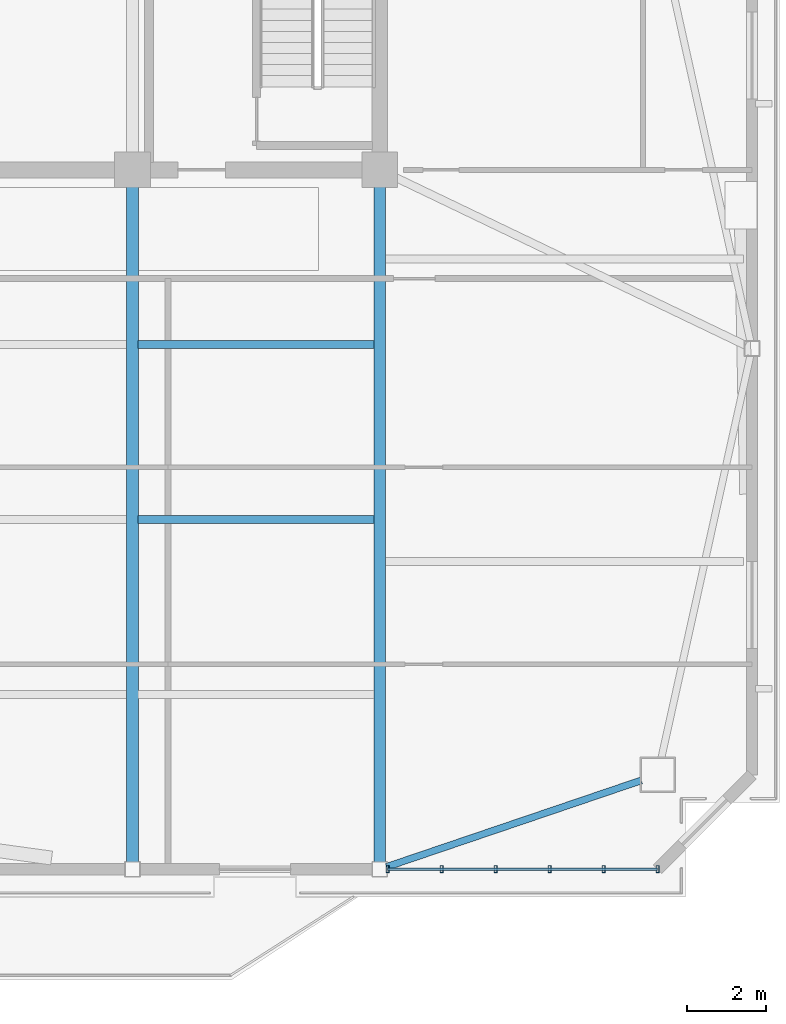
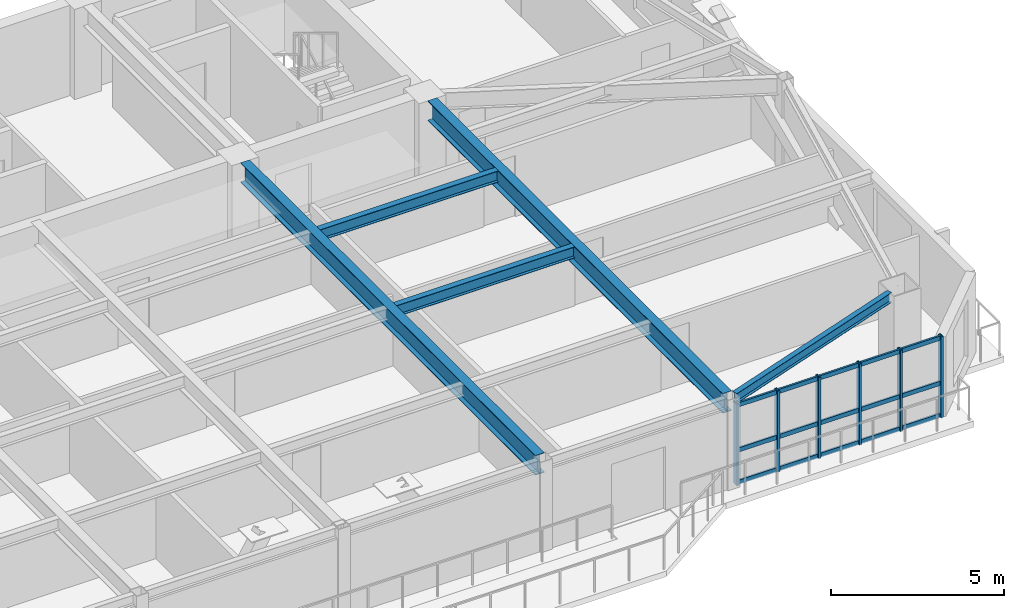
# One storey, part 4 of 13: 9 members, 5 beams, 1 element without a shape of its own.
"""IFC4 building model written with IfcOpenShell, lengths in metres."""

import ifcopenshell
import ifcopenshell.guid

model = None  # the IFC model being written
_history = None  # IfcOwnerHistory: only IFC2X3 demands one
_inside = {}  # id of a spatial element -> (the spatial element, [elements in it])
_under = {}  # id of a project, library or spatial element -> (it, [spatial elements below it])
_declared = {}  # id of a project -> (the project, [libraries it declares])
_typed = {}  # id of a type object -> (the type object, [elements of that type])
_made_of = {}  # id of a material, layer set ... -> (it, [elements and type objects made of it])


def new_model(schema):
    """Start an empty IFC model of exactly this schema.

    Asked for "IFC4X3", IfcOpenShell would pick the latest addendum, in which some entities
    have other attributes; the version numbers below select the first issue.
    IFC2X3 requires an IfcOwnerHistory on every rooted entity: one is made here for all.
    """
    global model, _history
    if schema == "IFC4X3":
        model = ifcopenshell.file(schema_version=(4, 3, 0, 0))
    else:
        model = ifcopenshell.file(schema=schema)
    _inside.clear()
    _under.clear()
    _declared.clear()
    _typed.clear()
    _made_of.clear()
    _history = None
    if model.schema == "IFC2X3":
        org = make("IfcOrganization", Name="unknown")
        user = make(
            "IfcPersonAndOrganization",
            ThePerson=make("IfcPerson", FamilyName="unknown"),
            TheOrganization=org,
        )
        app = make(
            "IfcApplication",
            ApplicationDeveloper=org,
            Version="unknown",
            ApplicationFullName="unknown",
            ApplicationIdentifier="unknown",
        )
        _history = make(
            "IfcOwnerHistory",
            OwningUser=user,
            OwningApplication=app,
            ChangeAction="ADDED",
            CreationDate=0,
        )
    return model


def make(cls, **values):
    """One entity of the class cls with the attributes given. An attribute that is None is left unset."""
    return model.create_entity(
        cls, **{name: value for name, value in values.items() if value is not None}
    )


def rooted(cls, **values):
    """An entity with a GlobalId (a new one), such as an element, a storey or a relation."""
    return make(cls, GlobalId=ifcopenshell.guid.new(), OwnerHistory=_history, **values)


def si_unit(unit_type, name, prefix=None):
    """IfcSIUnit, for example si_unit("LENGTHUNIT", "METRE", prefix="MILLI")."""
    return make("IfcSIUnit", UnitType=unit_type, Prefix=prefix, Name=name)


def assignment(units):
    """IfcUnitAssignment: the units of a project."""
    return None if units is None else make("IfcUnitAssignment", Units=units)


def point(xyz):
    """IfcCartesianPoint."""
    return None if xyz is None else make("IfcCartesianPoint", Coordinates=xyz)


def direction(xyz):
    """IfcDirection."""
    return None if xyz is None else make("IfcDirection", DirectionRatios=xyz)


def frame(location, z_axis=None, x_axis=None):
    """IfcAxis2Placement3D, a coordinate frame: its origin and axes. An axis left out is left unset."""
    return make(
        "IfcAxis2Placement3D",
        Location=point(location),
        Axis=direction(z_axis),
        RefDirection=direction(x_axis),
    )


def frame_2d(location, x_axis=None):
    """IfcAxis2Placement2D, a coordinate frame in the plane: its origin and x axis."""
    return make(
        "IfcAxis2Placement2D", Location=point(location), RefDirection=direction(x_axis)
    )


def origin():
    """The frame at (0, 0, 0) with its axes left unset."""
    return frame((0.0, 0.0, 0.0))


def origin_2d():
    """The frame at (0, 0) in the plane with its x axis left unset."""
    return frame_2d((0.0, 0.0))


def place(relative_to, where):
    """IfcLocalPlacement: puts the frame where relative to a parent placement (None: the world)."""
    return make(
        "IfcLocalPlacement", PlacementRelTo=relative_to, RelativePlacement=where
    )


def context(
    kind, dimensions, precision=None, world=None, true_north=None, identifier=None
):
    """IfcGeometricRepresentationContext, for example the 3D "Model" context."""
    return make(
        "IfcGeometricRepresentationContext",
        ContextIdentifier=identifier,
        ContextType=kind,
        CoordinateSpaceDimension=dimensions,
        Precision=precision,
        WorldCoordinateSystem=world,
        TrueNorth=true_north,
    )


def subcontext(parent, identifier, kind, view, scale=None):
    """IfcGeometricRepresentationSubContext, for example "Body" below "Model"."""
    return make(
        "IfcGeometricRepresentationSubContext",
        ContextIdentifier=identifier,
        ContextType=kind,
        ParentContext=parent,
        TargetScale=scale,
        TargetView=view,
    )


def project(units=None, contexts=None):
    """IfcProject with its units and contexts."""
    return rooted(
        "IfcProject",
        Name="project",
        RepresentationContexts=contexts,
        UnitsInContext=assignment(units),
    )


def spatial(cls, under=None, at=None, **own):
    """A site, building, storey or space (cls), placed at a placement, below another one or the project."""
    s = rooted(cls, ObjectPlacement=at, **own)
    if under is not None:
        _under.setdefault(under.id(), (under, []))[1].append(s)
    return s


def profile(cls, at=None, kind="AREA", **sizes):
    """A parametric profile (cls). Its sizes go by their IFC names, for example OverallWidth=200.0."""
    return make(cls, ProfileType=kind, Position=at, **sizes)


def hollow_rectangle(**sizes):
    """IfcRectangleHollowProfileDef."""
    return profile("IfcRectangleHollowProfileDef", **sizes)


def i_section(**sizes):
    """IfcIShapeProfileDef."""
    return profile("IfcIShapeProfileDef", **sizes)


def extrude(swept, where, along, depth):
    """IfcExtrudedAreaSolid: the profile swept, set in the frame where, extruded along a direction by depth."""
    return make(
        "IfcExtrudedAreaSolid",
        SweptArea=swept,
        Position=where,
        ExtrudedDirection=direction(along),
        Depth=depth,
    )


def shape(context_of_items, identifier, shape_type, items):
    """IfcShapeRepresentation: the items that make up one representation, for example the "Body"."""
    return make(
        "IfcShapeRepresentation",
        ContextOfItems=context_of_items,
        RepresentationIdentifier=identifier,
        RepresentationType=shape_type,
        Items=items,
    )


def source(mapping_origin, context_of_items, identifier, shape_type, items):
    """IfcRepresentationMap: a shape defined once, which mapped items show again and again."""
    return make(
        "IfcRepresentationMap",
        MappingOrigin=mapping_origin,
        MappedRepresentation=shape(context_of_items, identifier, shape_type, items),
    )


def transform(
    local_origin,
    x_axis=None,
    y_axis=None,
    z_axis=None,
    scale=None,
    scale2=None,
    scale3=None,
    uniform=True,
):
    """IfcCartesianTransformationOperator3D, or its non-uniform kind. x_axis, y_axis, z_axis: its Axis1, 2, 3."""
    if uniform:
        return make(
            "IfcCartesianTransformationOperator3D",
            Axis1=direction(x_axis),
            Axis2=direction(y_axis),
            LocalOrigin=point(local_origin),
            Scale=scale,
            Axis3=direction(z_axis),
        )
    return make(
        "IfcCartesianTransformationOperator3DnonUniform",
        Axis1=direction(x_axis),
        Axis2=direction(y_axis),
        LocalOrigin=point(local_origin),
        Scale=scale,
        Axis3=direction(z_axis),
        Scale2=scale2,
        Scale3=scale3,
    )


def mapped(mapping_source, mapping_target):
    """IfcMappedItem: shows the shape of a source again, moved by a transform."""
    return make(
        "IfcMappedItem", MappingSource=mapping_source, MappingTarget=mapping_target
    )


def material(Name=None, Category=None):
    """IfcMaterial."""
    return make("IfcMaterial", Name=Name, Category=Category)


def layer(
    of_material, thickness, ventilated=None, Name=None, Category=None, Priority=None
):
    """IfcMaterialLayer: one layer of a wall or slab, of a material (None: an air gap)."""
    return make(
        "IfcMaterialLayer",
        Material=of_material,
        LayerThickness=thickness,
        IsVentilated=ventilated,
        Name=Name,
        Category=Category,
        Priority=Priority,
    )


def layer_set(layers, Name=None):
    """IfcMaterialLayerSet."""
    return make("IfcMaterialLayerSet", MaterialLayers=layers, LayerSetName=Name)


def material_profile(
    of_material, cross_section, Name=None, Category=None, Priority=None
):
    """IfcMaterialProfile: a cross section and its material."""
    return make(
        "IfcMaterialProfile",
        Name=Name,
        Material=of_material,
        Profile=cross_section,
        Priority=Priority,
        Category=Category,
    )


def profile_set(profiles, Name=None, composite=None):
    """IfcMaterialProfileSet."""
    return make(
        "IfcMaterialProfileSet",
        Name=Name,
        MaterialProfiles=profiles,
        CompositeProfile=composite,
    )


def made_of(thing, what):
    """Note that an element or type object is made of a material, layer set ...; save() writes the relation."""
    if what is not None:
        _made_of.setdefault(what.id(), (what, []))[1].append(thing)
    return thing


def type_object(cls, material=None, **own):
    """A type object (cls), such as IfcWallType, which elements share."""
    return made_of(rooted(cls, **own), material)


def element(
    cls,
    number,
    at=None,
    inside=None,
    cuts=None,
    type_object=None,
    material=None,
    context=None,
    identifier="Body",
    shape_type=None,
    held_by="IfcProductDefinitionShape",
    body=None,
    shapes=None,
    **own,
):
    """One element of the class cls, such as IfcWall. Its Tag is "e" and its number.

    at: its placement. inside: the storey or other place that contains it. cuts: it is an
    opening in that element (IfcRelVoidsElement). A single representation is given by context,
    identifier, shape_type and body (its items); several are given by shapes. held_by: the class
    of the entity that holds the representations. save() writes the other relations.
    """
    e = rooted(cls, Tag="e%d" % number, ObjectPlacement=at, **own)
    if body is not None:
        shapes = [shape(context, identifier, shape_type, body)]
    if shapes is not None:
        e.Representation = make(held_by, Representations=shapes)
    if inside is not None:
        _inside.setdefault(inside.id(), (inside, []))[1].append(e)
    if cuts is not None:
        rooted(
            "IfcRelVoidsElement", RelatingBuildingElement=cuts, RelatedOpeningElement=e
        )
    if type_object is not None:
        _typed.setdefault(type_object.id(), (type_object, []))[1].append(e)
    return made_of(e, material)


def aggregate(whole, parts):
    """IfcRelAggregates: a whole, such as a stair, and the parts it consists of."""
    return rooted("IfcRelAggregates", RelatingObject=whole, RelatedObjects=parts)


def save(model, path):
    """Write the relations noted so far, then the file.

    IfcRelAggregates (storeys below a building ...), IfcRelContainedInSpatialStructure (elements
    in a storey), IfcRelDefinesByType, IfcRelAssociatesMaterial and IfcRelDeclares: one each for
    every whole, place, type object, material and project.
    """
    for whole, parts in _under.values():
        aggregate(whole, parts)
    for where, things in _inside.values():
        rooted(
            "IfcRelContainedInSpatialStructure",
            RelatedElements=things,
            RelatingStructure=where,
        )
    for kind, things in _typed.values():
        rooted("IfcRelDefinesByType", RelatedObjects=things, RelatingType=kind)
    for what, things in _made_of.values():
        rooted("IfcRelAssociatesMaterial", RelatedObjects=things, RelatingMaterial=what)
    for by, libraries in _declared.values():
        rooted("IfcRelDeclares", RelatingContext=by, RelatedDefinitions=libraries)
    model.write(path)


model = new_model("IFC4")

# Units and contexts
model_context = context("Model", 3, precision=1e-05, world=origin(), true_north=direction((0.0, 1.0)))
body_context = subcontext(model_context, "Body", "Model", "MODEL_VIEW")
ifc_project = project(units=[si_unit("LENGTHUNIT", "METRE"), si_unit("AREAUNIT", "SQUARE_METRE"), si_unit("VOLUMEUNIT", "CUBIC_METRE"), si_unit("PLANEANGLEUNIT", "RADIAN"), si_unit("MASSUNIT", "GRAM", prefix="KILO")], contexts=[model_context])

# Site, building, storey
site_placement = place(None, origin())
site = spatial("IfcSite", under=ifc_project, at=site_placement, CompositionType="ELEMENT")
building_placement = place(site_placement, origin())
building = spatial("IfcBuilding", under=site, at=building_placement, Name="Giltprow Tower", CompositionType="ELEMENT")
storey_placement = place(building_placement, frame((0.0, 0.0, 307.39990234375)))
storey = spatial("IfcBuildingStorey", under=building, at=storey_placement, Name="L79", CompositionType="ELEMENT", Elevation=307.39990234375)

# Beams
ifc_material_1 = material(Name="Structural steel Q355B", Category="steel")
ifc_material_profile_1 = material_profile(ifc_material_1, i_section(OverallWidth=0.199951171875, OverallDepth=0.39990234375, WebThickness=0.008056640625, FlangeThickness=0.012939453125, at=origin_2d()), Name="HN 400x200x8x13")
ifc_profile_set_1 = profile_set([ifc_material_profile_1], Name="Structural steel Q355B")
beam_type_1 = type_object("IfcBeamType", Name="BM-JOIST-HN400", PredefinedType="JOIST", material=ifc_profile_set_1)
shared_shape_1 = source(origin(), body_context, "Body", "SweptSolid", [
    extrude(i_section(OverallWidth=0.199951171875, OverallDepth=0.39990234375, WebThickness=0.008056640625, FlangeThickness=0.012939453125, at=origin_2d()), origin(), (0.0, 0.0, 1.0), 5.9599609375),
])
for number, where, z_axis, x_axis, name in (
    (1, (44.445068359375, 28.611083984375, 2.985107421875), (1.0, 0.0, 0.0), (0.0, 1.0, 0.0), "L79 Composite Floor Joist 2-4"),
    (2, (44.445068359375, 33.031005859375, 2.985107421875), (1.0, 0.0, 0.0), (0.0, 1.0, 0.0), "L79 Composite Floor Joist 3-4"),
):
    element("IfcBeam", number, at=place(storey_placement, frame(where, z_axis=z_axis, x_axis=x_axis)), inside=storey, type_object=beam_type_1, Name=name, PredefinedType="JOIST", context=body_context, shape_type="MappedRepresentation", body=[
        mapped(shared_shape_1, transform((0.0, 0.0, 0.0), x_axis=(1.0, 0.0, 0.0), y_axis=(0.0, 1.0, 0.0), z_axis=(0.0, 0.0, 1.0), scale=1.0)),
    ])
ifc_material_profile_2 = material_profile(ifc_material_1, i_section(OverallWidth=0.175048828125, OverallDepth=0.35009765625, WebThickness=0.007080078125, FlangeThickness=0.010986328125, at=origin_2d()), Name="HN 350x175x7x11")
ifc_profile_set_2 = profile_set([ifc_material_profile_2], Name="Structural steel Q355B")
beam_type_2 = type_object("IfcBeamType", Name="BM-SPAN-HN350", PredefinedType="SPANDREL", material=ifc_profile_set_2)
shared_shape_2 = source(origin(), body_context, "Body", "SweptSolid", [
    extrude(i_section(OverallWidth=0.175048828125, OverallDepth=0.35009765625, WebThickness=0.007080078125, FlangeThickness=0.010986328125, at=origin_2d()), origin(), (0.0, 0.0, 1.0), 6.799072265625),
])
beam_placement = place(storey_placement, frame((50.72509765625, 19.8310546875, 3.010009765625), z_axis=(0.946901804607, 0.321522895656, 0.0), x_axis=(-0.321522895656, 0.946901804607, 0.0)))
element("IfcBeam", 3, at=beam_placement, inside=storey, type_object=beam_type_2, Name="L79 Perimeter Spandrel Beam S4-MC_SE", PredefinedType="SPANDREL", context=body_context, shape_type="MappedRepresentation", body=[
    mapped(shared_shape_2, transform((0.0, 0.0, 0.0), x_axis=(1.0, 0.0, 0.0), y_axis=(0.0, 1.0, 0.0), z_axis=(0.0, 0.0, 1.0), scale=1.0)),
])
ifc_material_profile_3 = material_profile(ifc_material_1, i_section(OverallWidth=0.300048828125, OverallDepth=0.699951171875, WebThickness=0.012939453125, FlangeThickness=0.02392578125, at=origin_2d()), Name="HN 700x300x13x24")
ifc_profile_set_3 = profile_set([ifc_material_profile_3], Name="Structural steel Q355B")
beam_type_3 = type_object("IfcBeamType", Name="BM-GIRD-HN700", PredefinedType="BEAM", material=ifc_profile_set_3)
shared_shape_3 = source(origin(), body_context, "Body", "SweptSolid", [
    extrude(i_section(OverallWidth=0.300048828125, OverallDepth=0.699951171875, WebThickness=0.012939453125, FlangeThickness=0.02392578125, at=origin_2d()), origin(), (0.0, 0.0, 1.0), 17.057861328125),
])
for number, where, z_axis, x_axis, name in (
    (4, (44.300048828125, 19.95703125, 2.835205078125), (0.0, 1.0, 0.0), (-1.0, 0.0, 0.0), "L79 Primary Lease Girder S3"),
    (5, (50.550048828125, 19.95703125, 2.835205078125), (0.0, 1.0, 0.0), (-1.0, 0.0, 0.0), "L79 Primary Lease Girder S4"),
):
    element("IfcBeam", number, at=place(storey_placement, frame(where, z_axis=z_axis, x_axis=x_axis)), inside=storey, type_object=beam_type_3, Name=name, PredefinedType="BEAM", context=body_context, shape_type="MappedRepresentation", body=[
        mapped(shared_shape_3, transform((0.0, 0.0, 0.0), x_axis=(1.0, 0.0, 0.0), y_axis=(0.0, 1.0, 0.0), z_axis=(0.0, 0.0, 1.0), scale=1.0)),
    ])

# Curtain wall, members
ifc_material_2 = material(Name="Anodized bronze", Category="metal")
ifc_layer = layer(ifc_material_2, 0.179931640625, Name="Anodized bronze")
ifc_layer_set = layer_set([ifc_layer], Name="Anodized bronze")
curtain_wall_type = type_object("IfcCurtainWallType", Name="CW-RES-SKY", PredefinedType="NOTDEFINED", material=ifc_layer_set)
curtain_wall_placement = place(storey_placement, origin())
curtain_wall = element("IfcCurtainWall", 6, at=curtain_wall_placement, inside=storey, type_object=curtain_wall_type, Name="L79 South Recessed Curtain Wall 6", PredefinedType="NOTDEFINED")
ifc_material_profile_4 = material_profile(ifc_material_2, hollow_rectangle(XDim=0.074951171875, YDim=0.179931640625, WallThickness=0.008056640625, at=origin_2d()), Name="RHS 180x75x8")
ifc_profile_set_4 = profile_set([ifc_material_profile_4], Name="Anodized bronze")
member_type_1 = type_object("IfcMemberType", Name="CW-MULLION-180x75", PredefinedType="MULLION", material=ifc_profile_set_4)
shared_shape_4 = source(origin(), body_context, "Body", "SweptSolid", [
    extrude(hollow_rectangle(XDim=0.074951171875, YDim=0.179931640625, WallThickness=0.008056640625, at=origin_2d()), origin(), (0.0, 0.0, 1.0), 2.8701171875),
])
member_1_placement = place(storey_placement, frame((50.75, 19.77197265625, -0.02001953125), z_axis=(0.0, 0.0, 1.0), x_axis=(1.0, 0.0, 0.0)))
member_1 = element("IfcMember", 7, at=member_1_placement, type_object=member_type_1, Name="L79 South Recessed Curtain Wall 6 Mullion 1", PredefinedType="MULLION", context=body_context, shape_type="MappedRepresentation", body=[
    mapped(shared_shape_4, transform((0.0, 0.0, 0.0), x_axis=(1.0, 0.0, 0.0), y_axis=(0.0, 1.0, 0.0), z_axis=(0.0, 0.0, 1.0), scale=1.0)),
])
member_2_placement = place(storey_placement, frame((52.114990234375, 19.77197265625, -0.02001953125), z_axis=(0.0, 0.0, 1.0), x_axis=(1.0, 0.0, 0.0)))
member_2 = element("IfcMember", 8, at=member_2_placement, type_object=member_type_1, Name="L79 South Recessed Curtain Wall 6 Mullion 2", PredefinedType="MULLION", context=body_context, shape_type="MappedRepresentation", body=[
    mapped(shared_shape_4, transform((0.0, 0.0, 0.0), x_axis=(1.0, 0.0, 0.0), y_axis=(0.0, 1.0, 0.0), z_axis=(0.0, 0.0, 1.0), scale=1.0)),
])
member_3_placement = place(storey_placement, frame((53.47998046875, 19.77197265625, -0.02001953125), z_axis=(0.0, 0.0, 1.0), x_axis=(1.0, 0.0, 0.0)))
member_3 = element("IfcMember", 9, at=member_3_placement, type_object=member_type_1, Name="L79 South Recessed Curtain Wall 6 Mullion 3", PredefinedType="MULLION", context=body_context, shape_type="MappedRepresentation", body=[
    mapped(shared_shape_4, transform((0.0, 0.0, 0.0), x_axis=(1.0, 0.0, 0.0), y_axis=(0.0, 1.0, 0.0), z_axis=(0.0, 0.0, 1.0), scale=1.0)),
])
member_4_placement = place(storey_placement, frame((54.844970703125, 19.77197265625, -0.02001953125), z_axis=(0.0, 0.0, 1.0), x_axis=(1.0, 0.0, 0.0)))
member_4 = element("IfcMember", 10, at=member_4_placement, type_object=member_type_1, Name="L79 South Recessed Curtain Wall 6 Mullion 4", PredefinedType="MULLION", context=body_context, shape_type="MappedRepresentation", body=[
    mapped(shared_shape_4, transform((0.0, 0.0, 0.0), x_axis=(1.0, 0.0, 0.0), y_axis=(0.0, 1.0, 0.0), z_axis=(0.0, 0.0, 1.0), scale=1.0)),
])
member_5_placement = place(storey_placement, frame((56.2099609375, 19.77197265625, -0.02001953125), z_axis=(0.0, 0.0, 1.0), x_axis=(1.0, 0.0, 0.0)))
member_5 = element("IfcMember", 11, at=member_5_placement, type_object=member_type_1, Name="L79 South Recessed Curtain Wall 6 Mullion 5", PredefinedType="MULLION", context=body_context, shape_type="MappedRepresentation", body=[
    mapped(shared_shape_4, transform((0.0, 0.0, 0.0), x_axis=(1.0, 0.0, 0.0), y_axis=(0.0, 1.0, 0.0), z_axis=(0.0, 0.0, 1.0), scale=1.0)),
])
member_6_placement = place(storey_placement, frame((57.574951171875, 19.77197265625, -0.02001953125), z_axis=(0.0, 0.0, 1.0), x_axis=(1.0, 0.0, 0.0)))
member_6 = element("IfcMember", 12, at=member_6_placement, type_object=member_type_1, Name="L79 South Recessed Curtain Wall 6 Mullion 6", PredefinedType="MULLION", context=body_context, shape_type="MappedRepresentation", body=[
    mapped(shared_shape_4, transform((0.0, 0.0, 0.0), x_axis=(1.0, 0.0, 0.0), y_axis=(0.0, 1.0, 0.0), z_axis=(0.0, 0.0, 1.0), scale=1.0)),
])
ifc_material_profile_5 = material_profile(ifc_material_2, hollow_rectangle(XDim=0.06494140625, YDim=0.14990234375, WallThickness=0.006103515625, at=origin_2d()), Name="RHS 150x65x6")
ifc_profile_set_5 = profile_set([ifc_material_profile_5], Name="Anodized bronze")
member_type_2 = type_object("IfcMemberType", Name="CW-TRANSOM-150x65", PredefinedType="USERDEFINED", material=ifc_profile_set_5)
shared_shape_5 = source(origin(), body_context, "Body", "SweptSolid", [
    extrude(hollow_rectangle(XDim=0.06494140625, YDim=0.14990234375, WallThickness=0.006103515625, at=origin_2d()), origin(), (0.0, 0.0, 1.0), 6.824951171875),
])
member_7_placement = place(storey_placement, frame((50.75, 19.77197265625, 0.0400390625), z_axis=(1.0, 0.0, 0.0), x_axis=(0.0, 1.0, 0.0)))
member_7 = element("IfcMember", 13, at=member_7_placement, type_object=member_type_2, Name="L79 South Recessed Curtain Wall 6 Transom 1", ObjectType="TRANSOM", PredefinedType="USERDEFINED", context=body_context, shape_type="MappedRepresentation", body=[
    mapped(shared_shape_5, transform((0.0, 0.0, 0.0), x_axis=(1.0, 0.0, 0.0), y_axis=(0.0, 1.0, 0.0), z_axis=(0.0, 0.0, 1.0), scale=1.0)),
])
member_8_placement = place(storey_placement, frame((50.75, 19.77197265625, 1.18212890625), z_axis=(1.0, 0.0, 0.0), x_axis=(0.0, 1.0, 0.0)))
member_8 = element("IfcMember", 14, at=member_8_placement, type_object=member_type_2, Name="L79 South Recessed Curtain Wall 6 Transom 2", ObjectType="TRANSOM", PredefinedType="USERDEFINED", context=body_context, shape_type="MappedRepresentation", body=[
    mapped(shared_shape_5, transform((0.0, 0.0, 0.0), x_axis=(1.0, 0.0, 0.0), y_axis=(0.0, 1.0, 0.0), z_axis=(0.0, 0.0, 1.0), scale=1.0)),
])
member_9_placement = place(storey_placement, frame((50.75, 19.77197265625, 2.775146484375), z_axis=(1.0, 0.0, 0.0), x_axis=(0.0, 1.0, 0.0)))
member_9 = element("IfcMember", 15, at=member_9_placement, type_object=member_type_2, Name="L79 South Recessed Curtain Wall 6 Transom 3", ObjectType="TRANSOM", PredefinedType="USERDEFINED", context=body_context, shape_type="MappedRepresentation", body=[
    mapped(shared_shape_5, transform((0.0, 0.0, 0.0), x_axis=(1.0, 0.0, 0.0), y_axis=(0.0, 1.0, 0.0), z_axis=(0.0, 0.0, 1.0), scale=1.0)),
])
aggregate(curtain_wall, [member_1, member_2, member_3, member_4, member_5, member_6, member_7, member_8, member_9])

save(model, "model.ifc")
